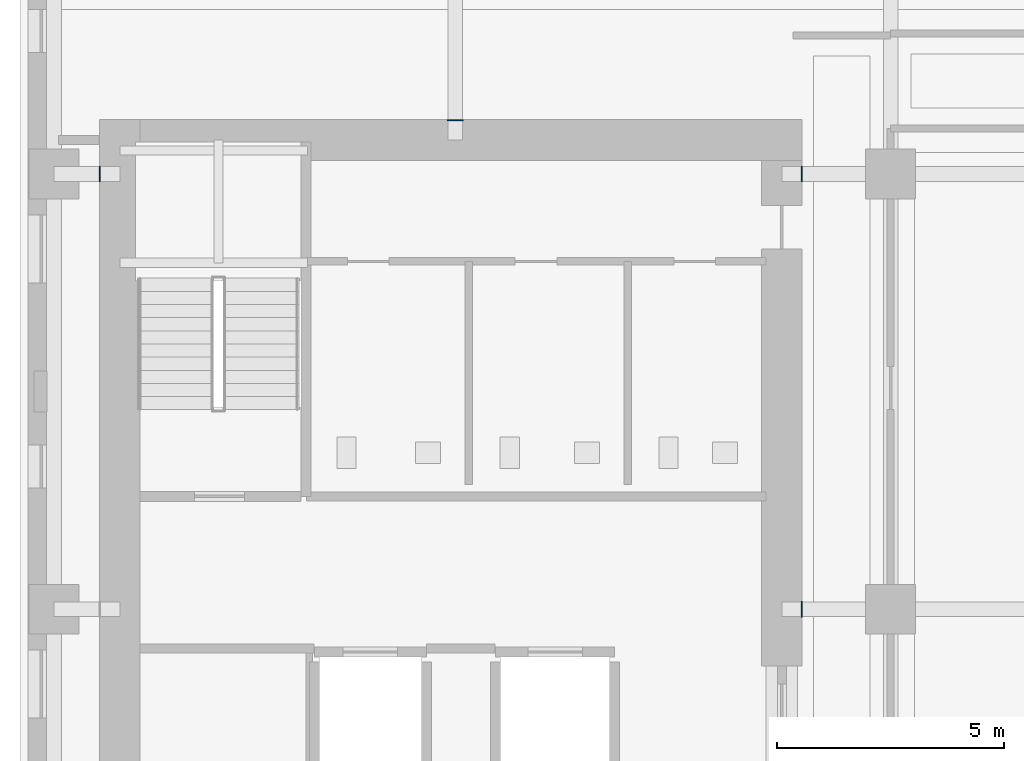
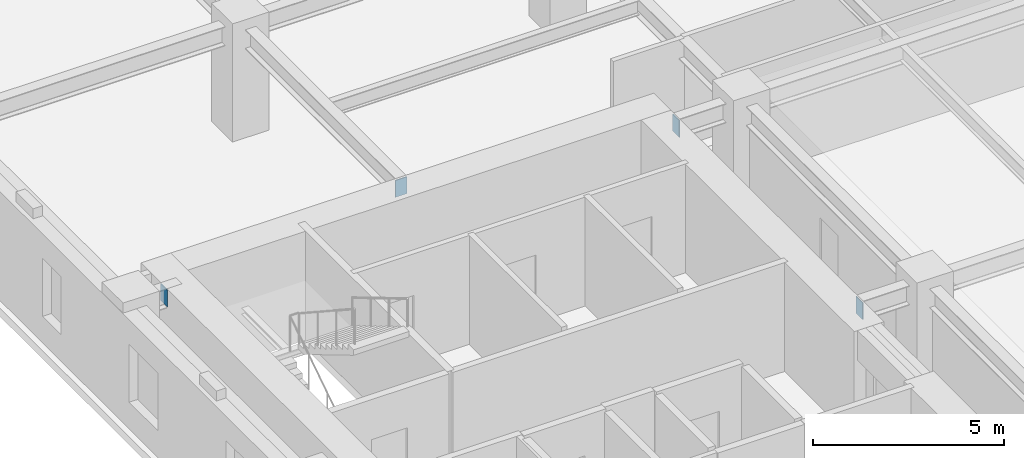
# One storey, part 10 of 15: 4 discrete accessories.
"""IFC4 building model written with IfcOpenShell, lengths in metres."""

from ifc_helpers import new_model, si_unit, direction, frame, origin, origin_2d, place, context, subcontext, project, spatial, rectangle, extrude, material, layer, layer_set, type_object, element, save


model = new_model("IFC4")

# Units and contexts
model_context = context("Model", 3, precision=1e-05, world=origin(), true_north=direction((0.0, 1.0)))
body_context = subcontext(model_context, "Body", "Model", "MODEL_VIEW")
ifc_project = project(units=[si_unit("LENGTHUNIT", "METRE"), si_unit("AREAUNIT", "SQUARE_METRE"), si_unit("VOLUMEUNIT", "CUBIC_METRE"), si_unit("PLANEANGLEUNIT", "RADIAN"), si_unit("MASSUNIT", "GRAM", prefix="KILO")], contexts=[model_context])

# Site, building, storey
site_placement = place(None, origin())
site = spatial("IfcSite", under=ifc_project, at=site_placement, CompositionType="ELEMENT")
building_placement = place(site_placement, origin())
building = spatial("IfcBuilding", under=site, at=building_placement, Name="Norrvale University Quadrangle", CompositionType="ELEMENT")
storey_placement = place(building_placement, frame((0.0, 0.0, 92.60009765625)))
storey = spatial("IfcBuildingStorey", under=building, at=storey_placement, Name="L23", CompositionType="ELEMENT", Elevation=92.60009765625)

# Discrete accessories
ifc_material = material(Name="Steel 350W", Category="steel")
ifc_layer = layer(ifc_material, 0.02490234375, Name="Steel 350W")
ifc_layer_set = layer_set([ifc_layer], Name="Steel 350W")
discrete_accessory_type = type_object("IfcDiscreteAccessoryType", Name="Accessory Cast In Embed Plate", PredefinedType="ANCHORPLATE", material=ifc_layer_set)
for number, where, z_axis, x_axis, name in (
    (1, (17.237548828125, 37.64990234375, 2.89990234375), (0.0, 0.0, 1.0), (1.0, 0.0, 0.0), "Core Wall Cast-in Embed Plate L23-GCE076"),
    (2, (1.762451171875, 47.25, 2.89990234375), (0.0, 0.0, 1.0), (1.0, 0.0, 0.0), "Core Wall Cast-in Embed Plate L23-GCW077"),
    (3, (17.237548828125, 47.25, 2.89990234375), (0.0, 0.0, 1.0), (1.0, 0.0, 0.0), "Core Wall Cast-in Embed Plate L23-GCE078"),
):
    element("IfcDiscreteAccessory", number, at=place(storey_placement, frame(where, z_axis=z_axis, x_axis=x_axis)), inside=storey, type_object=discrete_accessory_type, Name=name, PredefinedType="ANCHORPLATE", context=body_context, shape_type="SweptSolid", body=[
        extrude(rectangle(XDim=0.02490234375, YDim=0.35009765625, at=origin_2d()), origin(), (0.0, 0.0, 1.0), 0.5400390625),
    ])
discrete_accessory_placement = place(storey_placement, frame((9.60009765625, 48.4375, 2.89990234375), z_axis=(0.0, 0.0, 1.0), x_axis=(1.0, 0.0, 0.0)))
element("IfcDiscreteAccessory", 4, at=discrete_accessory_placement, inside=storey, type_object=discrete_accessory_type, Name="Core Wall Cast-in Embed Plate L23-GCN104", PredefinedType="ANCHORPLATE", context=body_context, shape_type="SweptSolid", body=[
    extrude(rectangle(XDim=0.35009765625, YDim=0.02490234375, at=origin_2d()), origin(), (0.0, 0.0, 1.0), 0.5400390625),
])

save(model, "model.ifc")
